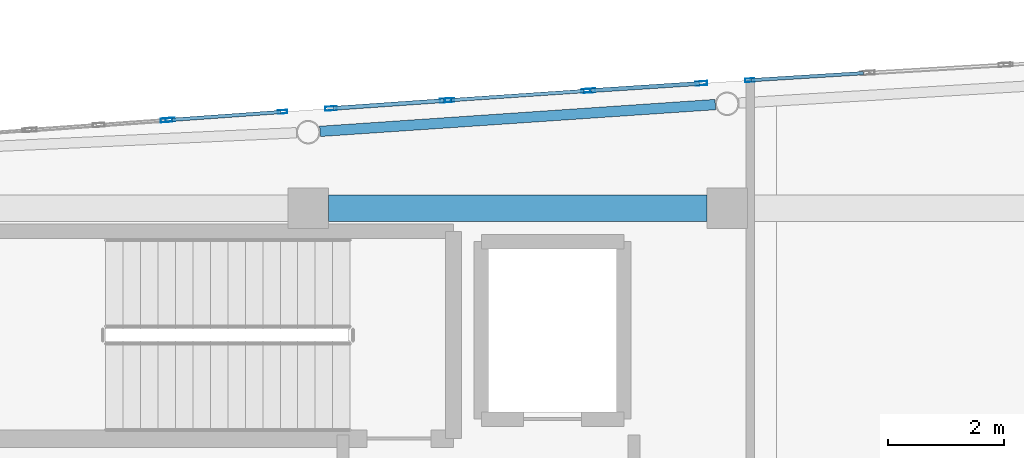
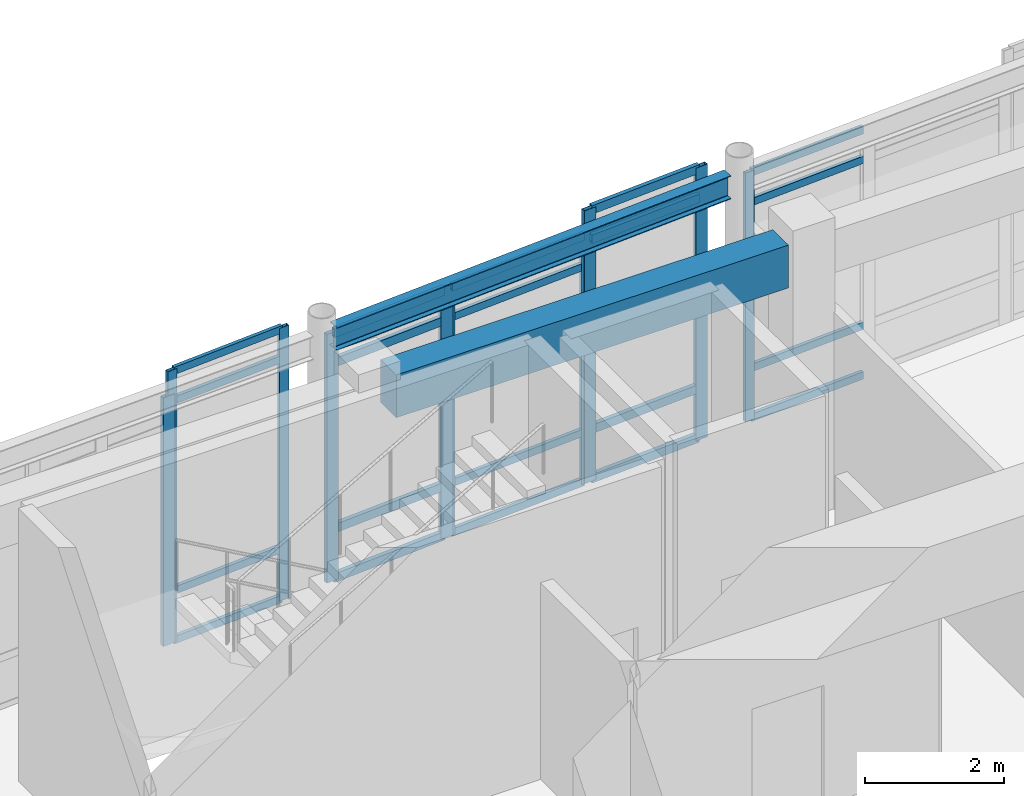
# One storey, part 33 of 117: 30 members, 2 beams, 6 elements without a shape of their own.
"""IFC4 building model written with IfcOpenShell, lengths in metres."""

from ifc_helpers import new_model, si_unit, direction, frame, origin, origin_2d, place, context, subcontext, project, spatial, rectangle, hollow_rectangle, i_section, extrude, material, layer, layer_set, material_profile, profile_set, type_object, element, aggregate, save


model = new_model("IFC4")

# Units and contexts
model_context = context("Model", 3, precision=1e-05, world=origin(), true_north=direction((0.0, 1.0)))
body_context = subcontext(model_context, "Body", "Model", "MODEL_VIEW")
ifc_project = project(units=[si_unit("LENGTHUNIT", "METRE"), si_unit("AREAUNIT", "SQUARE_METRE"), si_unit("VOLUMEUNIT", "CUBIC_METRE"), si_unit("PLANEANGLEUNIT", "RADIAN"), si_unit("MASSUNIT", "GRAM", prefix="KILO")], contexts=[model_context])

# Site, building, storey
site_placement = place(None, origin())
site = spatial("IfcSite", under=ifc_project, at=site_placement, CompositionType="ELEMENT")
building_placement = place(site_placement, origin())
building = spatial("IfcBuilding", under=site, at=building_placement, Name="Carrowvane Square Congress Hotel", CompositionType="ELEMENT")
storey_placement = place(building_placement, frame((0.0, 0.0, 5.39990234375)))
storey = spatial("IfcBuildingStorey", under=building, at=storey_placement, Name="L01", CompositionType="ELEMENT", Elevation=5.39990234375)

# Beams
ifc_material_1 = material(Name="Concrete C35/45", Category="concrete")
ifc_material_profile_1 = material_profile(ifc_material_1, rectangle(XDim=0.449951171875, YDim=0.75, at=origin_2d()), Name="RC 450x750")
ifc_profile_set_1 = profile_set([ifc_material_profile_1], Name="Concrete C35/45")
beam_type_1 = type_object("IfcBeamType", Name="BM-RC-450x750", PredefinedType="USERDEFINED", material=ifc_profile_set_1)
beam_1_placement = place(storey_placement, frame((62.35009765625, 113.39990234375, 4.405029296875), z_axis=(1.0, 0.0, 0.0), x_axis=(0.0, 1.0, 0.0)))
element("IfcBeam", 1, at=beam_1_placement, inside=storey, type_object=beam_type_1, Name="L02 girder R/8-9", ObjectType="GIRDER", PredefinedType="USERDEFINED", context=body_context, shape_type="SweptSolid", body=[
    extrude(rectangle(XDim=0.449951171875, YDim=0.75, at=origin_2d()), origin(), (0.0, 0.0, 1.0), 6.5),
])
ifc_material_2 = material(Name="Steel S355", Category="steel")
ifc_material_profile_2 = material_profile(ifc_material_2, i_section(OverallWidth=0.1787109375, OverallDepth=0.409423828125, WebThickness=0.0087890625, FlangeThickness=0.014404296875, FilletRadius=0.01025390625, at=origin_2d()), Name="UKB 406x178x67")
ifc_profile_set_2 = profile_set([ifc_material_profile_2], Name="Steel S355")
beam_type_2 = type_object("IfcBeamType", Name="BM-ST-UKB406", PredefinedType="BEAM", material=ifc_profile_set_2)
beam_2_placement = place(storey_placement, frame((62.20263671875, 114.7197265625, 4.575439453125), z_axis=(0.997706912919, 0.067682463857, 0.0), x_axis=(-0.067682463857, 0.997706912919, 0.0)))
element("IfcBeam", 2, at=beam_2_placement, inside=storey, type_object=beam_type_2, Name="L02 curved north spandrel", PredefinedType="BEAM", context=body_context, shape_type="SweptSolid", body=[
    extrude(i_section(OverallWidth=0.1787109375, OverallDepth=0.409423828125, WebThickness=0.0087890625, FlangeThickness=0.014404296875, FilletRadius=0.01025390625, at=origin_2d()), origin(), (0.0, 0.0, 1.0), 6.810302734375),
])

# Curtain wall, members
ifc_material_3 = material(Name="Anodised aluminium", Category="aluminium")
ifc_layer_1 = layer(ifc_material_3, 0.162109375)
ifc_layer_set_1 = layer_set([ifc_layer_1], Name="Anodised aluminium")
curtain_wall_type_1 = type_object("IfcCurtainWallType", Name="CW-SYS-1", PredefinedType="NOTDEFINED", material=ifc_layer_set_1)
curtain_wall_1_placement = place(storey_placement, origin())
curtain_wall_1 = element("IfcCurtainWall", 3, at=curtain_wall_1_placement, inside=storey, type_object=curtain_wall_type_1, Name="L01 unitised curtain wall 72", PredefinedType="NOTDEFINED")
ifc_material_4 = material(Name="Anodised aluminium", Category="aluminium")
ifc_material_profile_3 = material_profile(ifc_material_4, hollow_rectangle(XDim=0.06005859375, YDim=0.159912109375, WallThickness=0.00390625, at=origin_2d()), Name="CW-ML 60x160x4")
ifc_profile_set_3 = profile_set([ifc_material_profile_3], Name="Anodised aluminium")
member_type_1 = type_object("IfcMemberType", Name="CW-MUL-1", PredefinedType="MULLION", material=ifc_profile_set_3)
member_1_placement = place(storey_placement, frame((59.6298828125, 114.91748046875, 0.0), z_axis=(0.0, 0.0, 1.0), x_axis=(-0.070960217342, 0.997479146426, 0.0)))
member_1 = element("IfcMember", 4, at=member_1_placement, type_object=member_type_1, Name="CW-1 mullion 1", PredefinedType="MULLION", context=body_context, shape_type="SweptSolid", body=[
    extrude(hollow_rectangle(XDim=0.06005859375, YDim=0.159912109375, WallThickness=0.00390625, at=origin_2d()), origin(), (0.0, 0.0, 1.0), 4.780029296875),
])
member_2_placement = place(storey_placement, frame((61.5595703125, 115.0546875, 0.0), z_axis=(0.0, 0.0, 1.0), x_axis=(-0.070960217342, 0.997479146426, 0.0)))
member_2 = element("IfcMember", 5, at=member_2_placement, type_object=member_type_1, Name="CW-1 mullion 2", PredefinedType="MULLION", context=body_context, shape_type="SweptSolid", body=[
    extrude(hollow_rectangle(XDim=0.06005859375, YDim=0.159912109375, WallThickness=0.00390625, at=origin_2d()), origin(), (0.0, 0.0, 1.0), 4.780029296875),
])

ifc_material_5 = material(Name="Anodised aluminium", Category="aluminium")
ifc_layer_2 = layer(ifc_material_5, 0.18603515625)
ifc_layer_set_2 = layer_set([ifc_layer_2], Name="Anodised aluminium")
curtain_wall_type_2 = type_object("IfcCurtainWallType", Name="CW-SYS-3", PredefinedType="NOTDEFINED", material=ifc_layer_set_2)
curtain_wall_2_placement = place(storey_placement, origin())
curtain_wall_2 = element("IfcCurtainWall", 6, at=curtain_wall_2_placement, inside=storey, type_object=curtain_wall_type_2, Name="L01 unitised curtain wall 74", PredefinedType="NOTDEFINED")
member_3_placement = place(storey_placement, frame((64.429931640625, 115.255859375, 0.0), z_axis=(0.0, 0.0, 1.0), x_axis=(-0.067865424104, 0.997694484404, 0.0)))
member_3 = element("IfcMember", 7, at=member_3_placement, type_object=member_type_1, Name="CW-3 mullion 1", PredefinedType="MULLION", context=body_context, shape_type="SweptSolid", body=[
    extrude(hollow_rectangle(XDim=0.06005859375, YDim=0.159912109375, WallThickness=0.00390625, at=origin_2d()), origin(), (0.0, 0.0, 1.0), 4.355712890625),
])
member_4_placement = place(storey_placement, frame((66.77001953125, 115.4150390625, 0.0), z_axis=(0.0, 0.0, 1.0), x_axis=(-0.067865424104, 0.997694484404, 0.0)))
member_4 = element("IfcMember", 8, at=member_4_placement, type_object=member_type_1, Name="CW-3 mullion 2", PredefinedType="MULLION", context=body_context, shape_type="SweptSolid", body=[
    extrude(hollow_rectangle(XDim=0.06005859375, YDim=0.159912109375, WallThickness=0.00390625, at=origin_2d()), origin(), (0.0, 0.0, 1.0), 4.355712890625),
])

# Curtain wall, member
ifc_material_6 = material(Name="Anodised aluminium", Category="aluminium")
ifc_layer_3 = layer(ifc_material_6, 0.2099609375)
ifc_layer_set_3 = layer_set([ifc_layer_3], Name="Anodised aluminium")
curtain_wall_type_3 = type_object("IfcCurtainWallType", Name="CW-SYS-5", PredefinedType="NOTDEFINED", material=ifc_layer_set_3)
curtain_wall_3_placement = place(storey_placement, origin())
curtain_wall_3 = element("IfcCurtainWall", 9, at=curtain_wall_3_placement, inside=storey, type_object=curtain_wall_type_3, Name="L01 unitised curtain wall 76", PredefinedType="NOTDEFINED")
member_5_placement = place(storey_placement, frame((69.58984375, 115.5986328125, 0.0), z_axis=(0.0, 0.0, 1.0), x_axis=(-0.062397474952, 0.998051378998, 0.0)))
member_5 = element("IfcMember", 10, at=member_5_placement, type_object=member_type_1, Name="CW-5 mullion 1", PredefinedType="MULLION", context=body_context, shape_type="SweptSolid", body=[
    extrude(hollow_rectangle(XDim=0.06005859375, YDim=0.159912109375, WallThickness=0.00390625, at=origin_2d()), origin(), (0.0, 0.0, 1.0), 4.355712890625),
])

ifc_material_7 = material(Name="Anodised aluminium", Category="aluminium")
ifc_layer_4 = layer(ifc_material_7, 0.24609375)
ifc_layer_set_4 = layer_set([ifc_layer_4], Name="Anodised aluminium")
curtain_wall_type_4 = type_object("IfcCurtainWallType", Name="CW-SYS-8", PredefinedType="NOTDEFINED", material=ifc_layer_set_4)
curtain_wall_4_placement = place(storey_placement, origin())
curtain_wall_4 = element("IfcCurtainWall", 11, at=curtain_wall_4_placement, inside=storey, type_object=curtain_wall_type_4, Name="L01 unitised curtain wall 71", PredefinedType="NOTDEFINED")
ifc_material_8 = material(Name="Anodised aluminium", Category="aluminium")
ifc_material_profile_4 = material_profile(ifc_material_8, hollow_rectangle(XDim=0.070068359375, YDim=0.199951171875, WallThickness=0.0048828125, at=origin_2d()), Name="CW-ML 70x200x5")
ifc_profile_set_4 = profile_set([ifc_material_profile_4], Name="Anodised aluminium")
member_type_2 = type_object("IfcMemberType", Name="CW-MUL-2", PredefinedType="MULLION", material=ifc_profile_set_4)
member_6_placement = place(storey_placement, frame((59.565185546875, 114.912841796875, 0.0), z_axis=(0.0, 0.0, 1.0), x_axis=(-0.071531759512, 0.997438322595, 0.0)))
member_6 = element("IfcMember", 12, at=member_6_placement, type_object=member_type_2, Name="CW-8 mullion 3", PredefinedType="MULLION", context=body_context, shape_type="SweptSolid", body=[
    extrude(hollow_rectangle(XDim=0.070068359375, YDim=0.199951171875, WallThickness=0.0048828125, at=origin_2d()), origin(), (0.0, 0.0, 1.0), 4.355712890625),
])
aggregate(curtain_wall_4, [member_6])

# Curtain wall, members
ifc_material_9 = material(Name="Anodised aluminium", Category="aluminium")
ifc_layer_5 = layer(ifc_material_9, 0.174072265625)
ifc_layer_set_5 = layer_set([ifc_layer_5], Name="Anodised aluminium")
curtain_wall_type_5 = type_object("IfcCurtainWallType", Name="CW-SYS-2", PredefinedType="NOTDEFINED", material=ifc_layer_set_5)
curtain_wall_5_placement = place(storey_placement, origin())
curtain_wall_5 = element("IfcCurtainWall", 13, at=curtain_wall_5_placement, inside=storey, type_object=curtain_wall_type_5, Name="L01 unitised curtain wall 73", PredefinedType="NOTDEFINED")
member_7_placement = place(storey_placement, frame((62.39208984375, 115.11328125, 0.0), z_axis=(0.0, 0.0, 1.0), x_axis=(-0.069723822092, 0.997566332949, 0.0)))
member_7 = element("IfcMember", 14, at=member_7_placement, type_object=member_type_2, Name="CW-2 mullion 1", PredefinedType="MULLION", context=body_context, shape_type="SweptSolid", body=[
    extrude(hollow_rectangle(XDim=0.070068359375, YDim=0.199951171875, WallThickness=0.0048828125, at=origin_2d()), origin(), (0.0, 0.0, 1.0), 4.355712890625),
])
member_8_placement = place(storey_placement, frame((64.365234375, 115.251220703125, 0.0), z_axis=(0.0, 0.0, 1.0), x_axis=(-0.069723822092, 0.997566332949, 0.0)))
member_8 = element("IfcMember", 15, at=member_8_placement, type_object=member_type_2, Name="CW-2 mullion 2", PredefinedType="MULLION", context=body_context, shape_type="SweptSolid", body=[
    extrude(hollow_rectangle(XDim=0.070068359375, YDim=0.199951171875, WallThickness=0.0048828125, at=origin_2d()), origin(), (0.0, 0.0, 1.0), 4.355712890625),
])

ifc_material_10 = material(Name="Anodised aluminium", Category="aluminium")
ifc_layer_6 = layer(ifc_material_10, 0.197998046875)
ifc_layer_set_6 = layer_set([ifc_layer_6], Name="Anodised aluminium")
curtain_wall_type_6 = type_object("IfcCurtainWallType", Name="CW-SYS-4", PredefinedType="NOTDEFINED", material=ifc_layer_set_6)
curtain_wall_6_placement = place(storey_placement, origin())
curtain_wall_6 = element("IfcCurtainWall", 16, at=curtain_wall_6_placement, inside=storey, type_object=curtain_wall_type_6, Name="L01 unitised curtain wall 75", PredefinedType="NOTDEFINED")
member_9_placement = place(storey_placement, frame((66.8349609375, 115.419189453125, 0.0), z_axis=(0.0, 0.0, 1.0), x_axis=(-0.065412223074, 0.997858327155, 0.0)))
member_9 = element("IfcMember", 17, at=member_9_placement, type_object=member_type_2, Name="CW-4 mullion 1", PredefinedType="MULLION", context=body_context, shape_type="SweptSolid", body=[
    extrude(hollow_rectangle(XDim=0.070068359375, YDim=0.199951171875, WallThickness=0.0048828125, at=origin_2d()), origin(), (0.0, 0.0, 1.0), 4.780029296875),
])
member_10_placement = place(storey_placement, frame((68.756591796875, 115.545166015625, 0.0), z_axis=(0.0, 0.0, 1.0), x_axis=(-0.065412223074, 0.997858327155, 0.0)))
member_10 = element("IfcMember", 18, at=member_10_placement, type_object=member_type_2, Name="CW-4 mullion 2", PredefinedType="MULLION", context=body_context, shape_type="SweptSolid", body=[
    extrude(hollow_rectangle(XDim=0.070068359375, YDim=0.199951171875, WallThickness=0.0048828125, at=origin_2d()), origin(), (0.0, 0.0, 1.0), 4.780029296875),
])

# Member
ifc_material_11 = material(Name="Anodised aluminium", Category="aluminium")
ifc_material_profile_5 = material_profile(ifc_material_11, hollow_rectangle(XDim=0.06005859375, YDim=0.1298828125, WallThickness=0.00390625, at=origin_2d()), Name="CW-TR 60x130x4")
ifc_profile_set_5 = profile_set([ifc_material_profile_5], Name="Anodised aluminium")
member_type_3 = type_object("IfcMemberType", Name="CW-TRN-1", PredefinedType="USERDEFINED", material=ifc_profile_set_5)
member_11_placement = place(storey_placement, frame((59.659912109375, 114.91943359375, 0.030029296875), z_axis=(0.997477179268, 0.070987864025, 0.0), x_axis=(-0.070987864025, 0.997477179268, 0.0)))
member_11 = element("IfcMember", 19, at=member_11_placement, type_object=member_type_3, Name="CW-1 transom 1.1", ObjectType="TRANSOM", PredefinedType="USERDEFINED", context=body_context, shape_type="SweptSolid", body=[
    extrude(hollow_rectangle(XDim=0.06005859375, YDim=0.1298828125, WallThickness=0.00390625, at=origin_2d()), origin(), (0.0, 0.0, 1.0), 1.874267578125),
])

member_12_placement = place(storey_placement, frame((59.659912109375, 114.91943359375, 0.900146484375), z_axis=(0.997477179268, 0.070987864025, 0.0), x_axis=(-0.070987864025, 0.997477179268, 0.0)))
member_12 = element("IfcMember", 20, at=member_12_placement, type_object=member_type_3, Name="CW-1 transom 1.2", ObjectType="TRANSOM", PredefinedType="USERDEFINED", context=body_context, shape_type="SweptSolid", body=[
    extrude(hollow_rectangle(XDim=0.06005859375, YDim=0.1298828125, WallThickness=0.00390625, at=origin_2d()), origin(), (0.0, 0.0, 1.0), 1.874267578125),
])

member_13_placement = place(storey_placement, frame((59.659912109375, 114.91943359375, 4.22998046875), z_axis=(0.997477179268, 0.070987864025, 0.0), x_axis=(-0.070987864025, 0.997477179268, 0.0)))
member_13 = element("IfcMember", 21, at=member_13_placement, type_object=member_type_3, Name="CW-1 transom 1.3", ObjectType="TRANSOM", PredefinedType="USERDEFINED", context=body_context, shape_type="SweptSolid", body=[
    extrude(hollow_rectangle(XDim=0.06005859375, YDim=0.1298828125, WallThickness=0.00390625, at=origin_2d()), origin(), (0.0, 0.0, 1.0), 1.874267578125),
])

member_14_placement = place(storey_placement, frame((59.659912109375, 114.91943359375, 4.75), z_axis=(0.997477179268, 0.070987864025, 0.0), x_axis=(-0.070987864025, 0.997477179268, 0.0)))
member_14 = element("IfcMember", 22, at=member_14_placement, type_object=member_type_3, Name="CW-1 transom 1.4", ObjectType="TRANSOM", PredefinedType="USERDEFINED", context=body_context, shape_type="SweptSolid", body=[
    extrude(hollow_rectangle(XDim=0.06005859375, YDim=0.1298828125, WallThickness=0.00390625, at=origin_2d()), origin(), (0.0, 0.0, 1.0), 1.874267578125),
])

aggregate(curtain_wall_1, [member_1, member_2, member_11, member_12, member_13, member_14])

member_15_placement = place(storey_placement, frame((64.4599609375, 115.2578125, 0.030029296875), z_axis=(0.997696363245, 0.067837797479, 0.0), x_axis=(-0.067837797479, 0.997696363245, 0.0)))
member_15 = element("IfcMember", 23, at=member_15_placement, type_object=member_type_3, Name="CW-3 transom 1.1", ObjectType="TRANSOM", PredefinedType="USERDEFINED", context=body_context, shape_type="SweptSolid", body=[
    extrude(hollow_rectangle(XDim=0.06005859375, YDim=0.1298828125, WallThickness=0.00390625, at=origin_2d()), origin(), (0.0, 0.0, 1.0), 2.285400390625),
])

member_16_placement = place(storey_placement, frame((64.4599609375, 115.2578125, 0.900146484375), z_axis=(0.997696363245, 0.067837797479, 0.0), x_axis=(-0.067837797479, 0.997696363245, 0.0)))
member_16 = element("IfcMember", 24, at=member_16_placement, type_object=member_type_3, Name="CW-3 transom 1.2", ObjectType="TRANSOM", PredefinedType="USERDEFINED", context=body_context, shape_type="SweptSolid", body=[
    extrude(hollow_rectangle(XDim=0.06005859375, YDim=0.1298828125, WallThickness=0.00390625, at=origin_2d()), origin(), (0.0, 0.0, 1.0), 2.285400390625),
])

member_17_placement = place(storey_placement, frame((64.4599609375, 115.2578125, 3.8056640625), z_axis=(0.997696363245, 0.067837797479, 0.0), x_axis=(-0.067837797479, 0.997696363245, 0.0)))
member_17 = element("IfcMember", 25, at=member_17_placement, type_object=member_type_3, Name="CW-3 transom 1.3", ObjectType="TRANSOM", PredefinedType="USERDEFINED", context=body_context, shape_type="SweptSolid", body=[
    extrude(hollow_rectangle(XDim=0.06005859375, YDim=0.1298828125, WallThickness=0.00390625, at=origin_2d()), origin(), (0.0, 0.0, 1.0), 2.285400390625),
])

member_18_placement = place(storey_placement, frame((64.4599609375, 115.2578125, 4.32568359375), z_axis=(0.997696363245, 0.067837797479, 0.0), x_axis=(-0.067837797479, 0.997696363245, 0.0)))
member_18 = element("IfcMember", 26, at=member_18_placement, type_object=member_type_3, Name="CW-3 transom 1.4", ObjectType="TRANSOM", PredefinedType="USERDEFINED", context=body_context, shape_type="SweptSolid", body=[
    extrude(hollow_rectangle(XDim=0.06005859375, YDim=0.1298828125, WallThickness=0.00390625, at=origin_2d()), origin(), (0.0, 0.0, 1.0), 2.285400390625),
])

aggregate(curtain_wall_2, [member_3, member_4, member_15, member_16, member_17, member_18])

member_19_placement = place(storey_placement, frame((69.619873046875, 115.6005859375, 0.030029296875), z_axis=(0.998049120598, 0.062433587709, 0.0), x_axis=(-0.062433587709, 0.998049120598, 0.0)))
member_19 = element("IfcMember", 27, at=member_19_placement, type_object=member_type_3, Name="CW-5 transom 1.1", ObjectType="TRANSOM", PredefinedType="USERDEFINED", context=body_context, shape_type="SweptSolid", body=[
    extrude(hollow_rectangle(XDim=0.06005859375, YDim=0.1298828125, WallThickness=0.00390625, at=origin_2d()), origin(), (0.0, 0.0, 1.0), 1.923828125),
])

member_20_placement = place(storey_placement, frame((69.619873046875, 115.6005859375, 0.900146484375), z_axis=(0.998049120598, 0.062433587709, 0.0), x_axis=(-0.062433587709, 0.998049120598, 0.0)))
member_20 = element("IfcMember", 28, at=member_20_placement, type_object=member_type_3, Name="CW-5 transom 1.2", ObjectType="TRANSOM", PredefinedType="USERDEFINED", context=body_context, shape_type="SweptSolid", body=[
    extrude(hollow_rectangle(XDim=0.06005859375, YDim=0.1298828125, WallThickness=0.00390625, at=origin_2d()), origin(), (0.0, 0.0, 1.0), 1.923828125),
])

member_21_placement = place(storey_placement, frame((69.619873046875, 115.6005859375, 3.8056640625), z_axis=(0.998049120598, 0.062433587709, 0.0), x_axis=(-0.062433587709, 0.998049120598, 0.0)))
member_21 = element("IfcMember", 29, at=member_21_placement, type_object=member_type_3, Name="CW-5 transom 1.3", ObjectType="TRANSOM", PredefinedType="USERDEFINED", context=body_context, shape_type="SweptSolid", body=[
    extrude(hollow_rectangle(XDim=0.06005859375, YDim=0.1298828125, WallThickness=0.00390625, at=origin_2d()), origin(), (0.0, 0.0, 1.0), 1.923828125),
])

member_22_placement = place(storey_placement, frame((69.619873046875, 115.6005859375, 4.32568359375), z_axis=(0.998049120598, 0.062433587709, 0.0), x_axis=(-0.062433587709, 0.998049120598, 0.0)))
member_22 = element("IfcMember", 30, at=member_22_placement, type_object=member_type_3, Name="CW-5 transom 1.4", ObjectType="TRANSOM", PredefinedType="USERDEFINED", context=body_context, shape_type="SweptSolid", body=[
    extrude(hollow_rectangle(XDim=0.06005859375, YDim=0.1298828125, WallThickness=0.00390625, at=origin_2d()), origin(), (0.0, 0.0, 1.0), 1.923828125),
])

aggregate(curtain_wall_3, [member_5, member_19, member_20, member_21, member_22])

ifc_material_12 = material(Name="Anodised aluminium", Category="aluminium")
ifc_material_profile_6 = material_profile(ifc_material_12, hollow_rectangle(XDim=0.070068359375, YDim=0.14990234375, WallThickness=0.0048828125, at=origin_2d()), Name="CW-TR 70x150x5")
ifc_profile_set_6 = profile_set([ifc_material_profile_6], Name="Anodised aluminium")
member_type_4 = type_object("IfcMemberType", Name="CW-TRN-2", PredefinedType="USERDEFINED", material=ifc_profile_set_6)
member_23_placement = place(storey_placement, frame((62.427001953125, 115.11572265625, 0.03515625), z_axis=(0.997565380596, 0.069737446437, 0.0), x_axis=(-0.069737446437, 0.997565380596, 0.0)))
member_23 = element("IfcMember", 31, at=member_23_placement, type_object=member_type_4, Name="CW-2 transom 1.1", ObjectType="TRANSOM", PredefinedType="USERDEFINED", context=body_context, shape_type="SweptSolid", body=[
    extrude(hollow_rectangle(XDim=0.070068359375, YDim=0.14990234375, WallThickness=0.0048828125, at=origin_2d()), origin(), (0.0, 0.0, 1.0), 1.907958984375),
])

member_24_placement = place(storey_placement, frame((62.427001953125, 115.11572265625, 0.900146484375), z_axis=(0.997565380596, 0.069737446437, 0.0), x_axis=(-0.069737446437, 0.997565380596, 0.0)))
member_24 = element("IfcMember", 32, at=member_24_placement, type_object=member_type_4, Name="CW-2 transom 1.2", ObjectType="TRANSOM", PredefinedType="USERDEFINED", context=body_context, shape_type="SweptSolid", body=[
    extrude(hollow_rectangle(XDim=0.070068359375, YDim=0.14990234375, WallThickness=0.0048828125, at=origin_2d()), origin(), (0.0, 0.0, 1.0), 1.907958984375),
])

member_25_placement = place(storey_placement, frame((62.427001953125, 115.11572265625, 3.8056640625), z_axis=(0.997565380596, 0.069737446437, 0.0), x_axis=(-0.069737446437, 0.997565380596, 0.0)))
member_25 = element("IfcMember", 33, at=member_25_placement, type_object=member_type_4, Name="CW-2 transom 1.3", ObjectType="TRANSOM", PredefinedType="USERDEFINED", context=body_context, shape_type="SweptSolid", body=[
    extrude(hollow_rectangle(XDim=0.070068359375, YDim=0.14990234375, WallThickness=0.0048828125, at=origin_2d()), origin(), (0.0, 0.0, 1.0), 1.907958984375),
])

member_26_placement = place(storey_placement, frame((62.427001953125, 115.11572265625, 4.32080078125), z_axis=(0.997565380596, 0.069737446437, 0.0), x_axis=(-0.069737446437, 0.997565380596, 0.0)))
member_26 = element("IfcMember", 34, at=member_26_placement, type_object=member_type_4, Name="CW-2 transom 1.4", ObjectType="TRANSOM", PredefinedType="USERDEFINED", context=body_context, shape_type="SweptSolid", body=[
    extrude(hollow_rectangle(XDim=0.070068359375, YDim=0.14990234375, WallThickness=0.0048828125, at=origin_2d()), origin(), (0.0, 0.0, 1.0), 1.907958984375),
])

aggregate(curtain_wall_5, [member_7, member_8, member_23, member_24, member_25, member_26])

member_27_placement = place(storey_placement, frame((66.869873046875, 115.421630859375, 0.03515625), z_axis=(0.997860186588, 0.065383851382, 0.0), x_axis=(-0.065383851382, 0.997860186588, 0.0)))
member_27 = element("IfcMember", 35, at=member_27_placement, type_object=member_type_4, Name="CW-4 transom 1.1", ObjectType="TRANSOM", PredefinedType="USERDEFINED", context=body_context, shape_type="SweptSolid", body=[
    extrude(hollow_rectangle(XDim=0.070068359375, YDim=0.14990234375, WallThickness=0.0048828125, at=origin_2d()), origin(), (0.0, 0.0, 1.0), 1.855712890625),
])

member_28_placement = place(storey_placement, frame((66.869873046875, 115.421630859375, 0.900146484375), z_axis=(0.997860186588, 0.065383851382, 0.0), x_axis=(-0.065383851382, 0.997860186588, 0.0)))
member_28 = element("IfcMember", 36, at=member_28_placement, type_object=member_type_4, Name="CW-4 transom 1.2", ObjectType="TRANSOM", PredefinedType="USERDEFINED", context=body_context, shape_type="SweptSolid", body=[
    extrude(hollow_rectangle(XDim=0.070068359375, YDim=0.14990234375, WallThickness=0.0048828125, at=origin_2d()), origin(), (0.0, 0.0, 1.0), 1.855712890625),
])

member_29_placement = place(storey_placement, frame((66.869873046875, 115.421630859375, 4.22998046875), z_axis=(0.997860186588, 0.065383851382, 0.0), x_axis=(-0.065383851382, 0.997860186588, 0.0)))
member_29 = element("IfcMember", 37, at=member_29_placement, type_object=member_type_4, Name="CW-4 transom 1.3", ObjectType="TRANSOM", PredefinedType="USERDEFINED", context=body_context, shape_type="SweptSolid", body=[
    extrude(hollow_rectangle(XDim=0.070068359375, YDim=0.14990234375, WallThickness=0.0048828125, at=origin_2d()), origin(), (0.0, 0.0, 1.0), 1.855712890625),
])

member_30_placement = place(storey_placement, frame((66.869873046875, 115.421630859375, 4.7451171875), z_axis=(0.997860186588, 0.065383851382, 0.0), x_axis=(-0.065383851382, 0.997860186588, 0.0)))
member_30 = element("IfcMember", 38, at=member_30_placement, type_object=member_type_4, Name="CW-4 transom 1.4", ObjectType="TRANSOM", PredefinedType="USERDEFINED", context=body_context, shape_type="SweptSolid", body=[
    extrude(hollow_rectangle(XDim=0.070068359375, YDim=0.14990234375, WallThickness=0.0048828125, at=origin_2d()), origin(), (0.0, 0.0, 1.0), 1.855712890625),
])

aggregate(curtain_wall_6, [member_9, member_10, member_27, member_28, member_29, member_30])

save(model, "model.ifc")
